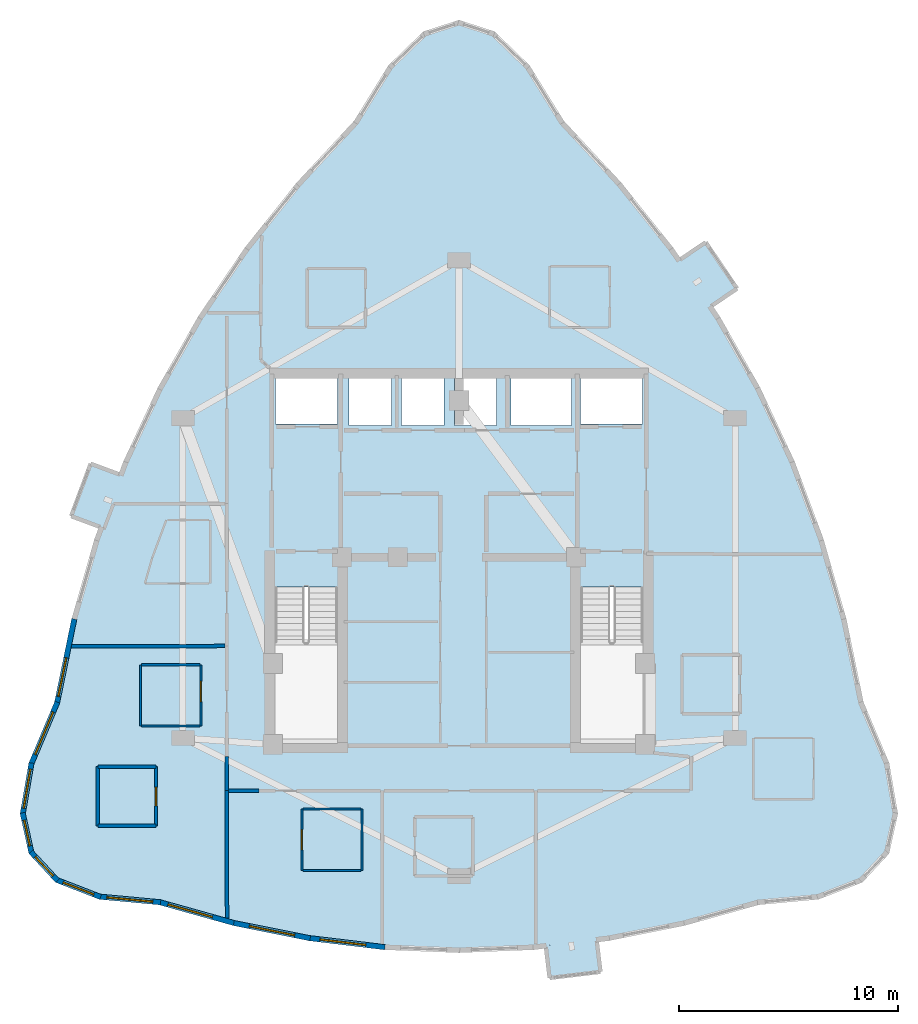
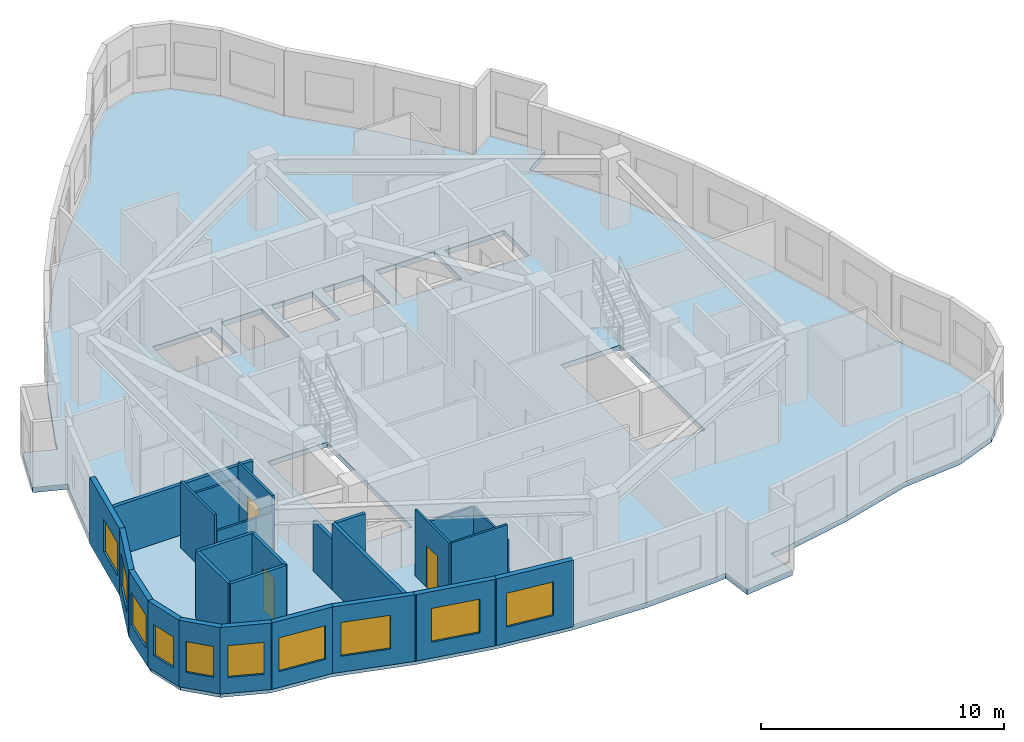
# One storey, part 3 of 9: 26 walls, 10 windows, 3 doors, 1 slab, 13 openings.
"""IFC4 building model written with IfcOpenShell, lengths in metres."""

from ifc_helpers import new_model, si_unit, direction, frame, frame_2d, origin, place, context, subcontext, project, spatial, polyline, rectangle, outline, extrude, material, layer, layer_set, type_object, element, fill, save


model = new_model("IFC4")

# Units and contexts
model_context = context("Model", 3, precision=1e-05, world=origin(), true_north=direction((0.0, 1.0)))
body_context = subcontext(model_context, "Body", "Model", "MODEL_VIEW")
ifc_project = project(units=[si_unit("LENGTHUNIT", "METRE"), si_unit("AREAUNIT", "SQUARE_METRE"), si_unit("VOLUMEUNIT", "CUBIC_METRE"), si_unit("PLANEANGLEUNIT", "RADIAN"), si_unit("MASSUNIT", "GRAM", prefix="KILO")], contexts=[model_context])

# Site, building, storey
site_placement = place(None, origin())
site = spatial("IfcSite", under=ifc_project, at=site_placement, CompositionType="ELEMENT")
building_placement = place(site_placement, origin())
building = spatial("IfcBuilding", under=site, at=building_placement, Name="Miruveldt Soraemaru", CompositionType="ELEMENT")
storey_placement = place(building_placement, frame((0.0, 0.0, 244.800048828125)))
storey = spatial("IfcBuildingStorey", under=building, at=storey_placement, Name="L67", CompositionType="ELEMENT", Elevation=244.800048828125)

# Slab
ifc_material_1 = material(Name="Concrete C40/50 (40 MPa)", Category="concrete")
ifc_layer_1 = layer(ifc_material_1, 0.2548828125, Name="Concrete C40/50 (40 MPa)", Category="concrete")
ifc_layer_set_1 = layer_set([ifc_layer_1], Name="Concrete C40/50 (40 MPa)")
slab_type = type_object("IfcSlabType", Name="SLAB-RES3-255", PredefinedType="FLOOR", material=ifc_layer_set_1)
slab_placement = place(storey_placement, frame((0.0, 0.0, -0.255126953125)))
element("IfcSlab", 1, at=slab_placement, inside=storey, type_object=slab_type, Name="L67 Structural Floor Slab", PredefinedType="FLOOR", context=body_context, shape_type="SweptSolid", body=[
    extrude(outline(polyline([(48.13525390625, 24.852294921875), (47.958984375, 26.32177734375), (49.119140625, 26.461181640625), (47.412841796875, 26.25634765625), (44.0, 26.119873046875), (40.587158203125, 26.25634765625), (37.17431640625, 26.665771484375), (33.761474609375, 27.348388671875), (30.3486328125, 28.303955078125), (27.611328125, 28.556884765625), (25.65625, 29.3154296875), (24.483154296875, 30.57958984375), (24.092041015625, 32.349853515625), (24.483154296875, 34.62548828125), (25.65625, 37.406982421875), (26.435791015625, 41.195068359375), (27.47998046875, 44.8466796875), (27.689453125, 45.40869140625), (26.302490234375, 45.92529296875), (27.193115234375, 48.31591796875), (28.579833984375, 47.79931640625), (28.134765625, 46.60400390625), (28.789306640625, 48.361572265625), (30.36328125, 51.739990234375), (32.2021484375, 54.982177734375), (34.305908203125, 58.087646484375), (36.67431640625, 61.056640625), (39.3076171875, 63.88916015625), (40.87158203125, 66.417724609375), (42.435791015625, 67.934814453125), (44.0, 68.4404296875), (45.564208984375, 67.934814453125), (47.12841796875, 66.417724609375), (48.6923828125, 63.88916015625), (51.32568359375, 61.056640625), (53.694091796875, 58.087646484375), (54.74609375, 56.534912109375), (54.03076171875, 57.5908203125), (55.256103515625, 58.4208984375), (56.686767578125, 56.308837890625), (55.46142578125, 55.478759765625), (55.7978515625, 54.982177734375), (57.63671875, 51.739990234375), (59.210693359375, 48.361572265625), (60.52001953125, 44.8466796875), (61.564208984375, 41.195068359375), (62.34375, 37.406982421875), (63.516845703125, 34.62548828125), (63.907958984375, 32.349853515625), (63.516845703125, 30.57958984375), (62.34375, 29.3154296875), (60.388671875, 28.556884765625), (57.6513671875, 28.303955078125), (54.238525390625, 27.348388671875), (50.82568359375, 26.665771484375), (50.279296875, 26.600341796875), (50.455810546875, 25.130859375), (48.13525390625, 24.852294921875)]), holes=[polyline([(35.614990234375, 35.6650390625), (38.43505859375, 35.6650390625), (38.43505859375, 42.68505859375), (35.614990234375, 42.68505859375), (35.614990234375, 35.6650390625)]), polyline([(49.56494140625, 35.6650390625), (52.385009765625, 35.6650390625), (52.385009765625, 42.68505859375), (49.56494140625, 42.68505859375), (49.56494140625, 35.6650390625)]), polyline([(38.445068359375, 50.135009765625), (38.445068359375, 52.205078125), (35.635009765625, 52.205078125), (35.635009765625, 50.135009765625), (38.445068359375, 50.135009765625)]), polyline([(52.364990234375, 50.135009765625), (52.364990234375, 52.205078125), (49.554931640625, 52.205078125), (49.554931640625, 50.135009765625), (52.364990234375, 50.135009765625)]), polyline([(40.9150390625, 50.06494140625), (40.9150390625, 52.3349609375), (38.985107421875, 52.3349609375), (38.985107421875, 50.06494140625), (40.9150390625, 50.06494140625)]), polyline([(43.31494140625, 50.06494140625), (43.31494140625, 52.3349609375), (41.385009765625, 52.3349609375), (41.385009765625, 50.06494140625), (43.31494140625, 50.06494140625)]), polyline([(45.715087890625, 50.06494140625), (45.715087890625, 52.3349609375), (43.784912109375, 52.3349609375), (43.784912109375, 50.06494140625), (45.715087890625, 50.06494140625)]), polyline([(49.135009765625, 50.06494140625), (49.135009765625, 52.3349609375), (46.364990234375, 52.3349609375), (46.364990234375, 50.06494140625), (49.135009765625, 50.06494140625)])]), origin(), (0.0, 0.0, 1.0), 0.255126953125),
])

# Wall, opening, window
ifc_material_2 = material(Name="Precast concrete C45/55 (45 MPa)", Category="concrete")
ifc_layer_2 = layer(ifc_material_2, 0.239990234375, Name="Precast concrete C45/55 (45 MPa)", Category="concrete")
ifc_layer_set_2 = layer_set([ifc_layer_2], Name="Precast concrete C45/55 (45 MPa)")
wall_type_1 = type_object("IfcWallType", Name="WALL-EXT-PC240", PredefinedType="SOLIDWALL", material=ifc_layer_set_2)
wall_1_placement = place(storey_placement, frame((26.44287109375, 41.229248046875, 0.0), z_axis=(0.0, 0.0, 1.0), x_axis=(-0.201574193265, -0.979473248542, 0.0)))
wall_1 = element("IfcWall", 2, at=wall_1_placement, inside=storey, type_object=wall_type_1, Name="L67 Precast Concrete Facade Wall 14", PredefinedType="SOLIDWALL", context=body_context, shape_type="SweptSolid", body=[
    extrude(rectangle(XDim=3.9375, YDim=0.239990234375, at=frame_2d((1.96875, 0.0))), origin(), (0.0, 0.0, 1.0), 3.344970703125),
])
opening_1_placement = place(wall_1_placement, frame((1.80810546875, 0.0, 0.800048828125)))
opening_1 = element("IfcOpeningElement", 3, at=opening_1_placement, cuts=wall_1, Name="Opening WN-2", PredefinedType="OPENING", context=body_context, shape_type="SweptSolid", body=[
    extrude(rectangle(XDim=1.800048828125, YDim=1.64990234375, at=frame_2d((0.89990234375, 0.824951171875))), frame((0.0, 0.1298828125, 0.0), z_axis=(0.0, -1.0, 0.0), x_axis=(1.0, 0.0, 0.0)), (0.0, 0.0, 1.0), 0.260009765625),
])
ifc_material_3 = material(Name="Triple low-e insulated glazing", Category="glass")
window_type_1 = type_object("IfcWindowType", Name="WIN-PUNCH-1800x1650", PartitioningType="SINGLE_PANEL", PredefinedType="WINDOW", material=ifc_material_3)
window_1_placement = place(opening_1_placement, origin())
window_1 = element("IfcWindow", 4, at=window_1_placement, inside=storey, type_object=window_type_1, Name="L67 Punched Triple-Glazed Window 14.1", OverallHeight=1.64990234375, OverallWidth=1.800048828125, PartitioningType="SINGLE_PANEL", PredefinedType="WINDOW", context=body_context, shape_type="SweptSolid", body=[
    extrude(rectangle(XDim=1.800048828125, YDim=1.64990234375, at=frame_2d((0.89990234375, 0.824951171875))), frame((0.0, 0.030029296875, 0.0), z_axis=(0.0, -1.0, 0.0), x_axis=(1.0, 0.0, 0.0)), (0.0, 0.0, 1.0), 0.06005859375),
])
fill(opening_1, window_1)

wall_2_placement = place(storey_placement, frame((25.669921875, 37.439208984375, 0.0), z_axis=(0.0, 0.0, 1.0), x_axis=(-0.388647035021, -0.921386716949, 0.0)))
wall_2 = element("IfcWall", 5, at=wall_2_placement, inside=storey, type_object=wall_type_1, Name="L67 Precast Concrete Facade Wall 15", PredefinedType="SOLIDWALL", context=body_context, shape_type="SweptSolid", body=[
    extrude(rectangle(XDim=3.0888671875, YDim=0.239990234375, at=frame_2d((1.54443359375, 0.0))), origin(), (0.0, 0.0, 1.0), 3.344970703125),
])
opening_2_placement = place(wall_2_placement, frame((0.493896484375, 0.0, 0.800048828125)))
opening_2 = element("IfcOpeningElement", 6, at=opening_2_placement, cuts=wall_2, Name="Opening WN-1", PredefinedType="OPENING", context=body_context, shape_type="SweptSolid", body=[
    extrude(rectangle(XDim=2.10009765625, YDim=1.699951171875, at=frame_2d((1.050048828125, 0.85009765625))), frame((0.0, 0.1298828125, 0.0), z_axis=(0.0, -1.0, 0.0), x_axis=(1.0, 0.0, 0.0)), (0.0, 0.0, 1.0), 0.260009765625),
])
window_type_2 = type_object("IfcWindowType", Name="WIN-PUNCH-2100x1700", PartitioningType="SINGLE_PANEL", PredefinedType="WINDOW", material=ifc_material_3)
window_2_placement = place(opening_2_placement, origin())
window_2 = element("IfcWindow", 7, at=window_2_placement, inside=storey, type_object=window_type_2, Name="L67 Punched Triple-Glazed Window 15.1", OverallHeight=1.699951171875, OverallWidth=2.10009765625, PartitioningType="SINGLE_PANEL", PredefinedType="WINDOW", context=body_context, shape_type="SweptSolid", body=[
    extrude(rectangle(XDim=2.10009765625, YDim=1.699951171875, at=frame_2d((1.050048828125, 0.85009765625))), frame((0.0, 0.030029296875, 0.0), z_axis=(0.0, -1.0, 0.0), x_axis=(1.0, 0.0, 0.0)), (0.0, 0.0, 1.0), 0.06005859375),
])
fill(opening_2, window_2)

wall_3_placement = place(storey_placement, frame((24.489013671875, 34.659912109375, 0.0), z_axis=(0.0, 0.0, 1.0), x_axis=(-0.16932268842, -0.985560666416, 0.0)))
wall_3 = element("IfcWall", 8, at=wall_3_placement, inside=storey, type_object=wall_type_1, Name="L67 Precast Concrete Facade Wall 16", PredefinedType="SOLIDWALL", context=body_context, shape_type="SweptSolid", body=[
    extrude(rectangle(XDim=2.379150390625, YDim=0.239990234375, at=frame_2d((1.189453125, 0.0))), origin(), (0.0, 0.0, 1.0), 3.344970703125),
])
opening_3_placement = place(wall_3_placement, frame((0.2890625, 0.0, 0.800048828125)))
opening_3 = element("IfcOpeningElement", 9, at=opening_3_placement, cuts=wall_3, Name="Opening WN-2", PredefinedType="OPENING", context=body_context, shape_type="SweptSolid", body=[
    extrude(rectangle(XDim=1.800048828125, YDim=1.64990234375, at=frame_2d((0.89990234375, 0.824951171875))), frame((0.0, 0.1298828125, 0.0), z_axis=(0.0, -1.0, 0.0), x_axis=(1.0, 0.0, 0.0)), (0.0, 0.0, 1.0), 0.260009765625),
])
window_3_placement = place(opening_3_placement, origin())
window_3 = element("IfcWindow", 10, at=window_3_placement, inside=storey, type_object=window_type_1, Name="L67 Punched Triple-Glazed Window 16.1", OverallHeight=1.64990234375, OverallWidth=1.800048828125, PartitioningType="SINGLE_PANEL", PredefinedType="WINDOW", context=body_context, shape_type="SweptSolid", body=[
    extrude(rectangle(XDim=1.800048828125, YDim=1.64990234375, at=frame_2d((0.89990234375, 0.824951171875))), frame((0.0, 0.030029296875, 0.0), z_axis=(0.0, -1.0, 0.0), x_axis=(1.0, 0.0, 0.0)), (0.0, 0.0, 1.0), 0.06005859375),
])
fill(opening_3, window_3)

wall_4_placement = place(storey_placement, frame((24.084716796875, 32.384033203125, 0.0), z_axis=(0.0, 0.0, 1.0), x_axis=(0.215502390858, -0.976503312608, 0.0)))
wall_4 = element("IfcWall", 11, at=wall_4_placement, inside=storey, type_object=wall_type_1, Name="L67 Precast Concrete Facade Wall 17", PredefinedType="SOLIDWALL", context=body_context, shape_type="SweptSolid", body=[
    extrude(rectangle(XDim=1.8828125, YDim=0.239990234375, at=frame_2d((0.94140625, 0.0))), origin(), (0.0, 0.0, 1.0), 3.344970703125),
])
opening_4_placement = place(wall_4_placement, frame((0.342041015625, 0.0, 0.780029296875)))
opening_4 = element("IfcOpeningElement", 12, at=opening_4_placement, cuts=wall_4, Name="Opening WN-4", PredefinedType="OPENING", context=body_context, shape_type="SweptSolid", body=[
    extrude(rectangle(XDim=1.199951171875, YDim=1.550048828125, at=frame_2d((0.60009765625, 0.77490234375))), frame((0.0, 0.1298828125, 0.0), z_axis=(0.0, -1.0, 0.0), x_axis=(1.0, 0.0, 0.0)), (0.0, 0.0, 1.0), 0.260009765625),
])
window_type_3 = type_object("IfcWindowType", Name="WIN-PUNCH-1200x1550", PartitioningType="SINGLE_PANEL", PredefinedType="WINDOW", material=ifc_material_3)
window_4_placement = place(opening_4_placement, origin())
window_4 = element("IfcWindow", 13, at=window_4_placement, inside=storey, type_object=window_type_3, Name="L67 Punched Triple-Glazed Window 17.1", OverallHeight=1.550048828125, OverallWidth=1.199951171875, PartitioningType="SINGLE_PANEL", PredefinedType="WINDOW", context=body_context, shape_type="SweptSolid", body=[
    extrude(rectangle(XDim=1.199951171875, YDim=1.550048828125, at=frame_2d((0.60009765625, 0.77490234375))), frame((0.0, 0.030029296875, 0.0), z_axis=(0.0, -1.0, 0.0), x_axis=(1.0, 0.0, 0.0)), (0.0, 0.0, 1.0), 0.06005859375),
])
fill(opening_4, window_4)

wall_5_placement = place(storey_placement, frame((24.459228515625, 30.60546875, 0.0), z_axis=(0.0, 0.0, 1.0), x_axis=(0.680153639161, -0.733069592287, 0.0)))
wall_5 = element("IfcWall", 14, at=wall_5_placement, inside=storey, type_object=wall_type_1, Name="L67 Precast Concrete Facade Wall 18", PredefinedType="SOLIDWALL", context=body_context, shape_type="SweptSolid", body=[
    extrude(rectangle(XDim=1.794677734375, YDim=0.239990234375, at=frame_2d((0.8974609375, 0.0))), origin(), (0.0, 0.0, 1.0), 3.344970703125),
])
opening_5_placement = place(wall_5_placement, frame((0.297119140625, 0.0, 0.780029296875)))
opening_5 = element("IfcOpeningElement", 15, at=opening_5_placement, cuts=wall_5, Name="Opening WN-4", PredefinedType="OPENING", context=body_context, shape_type="SweptSolid", body=[
    extrude(rectangle(XDim=1.199951171875, YDim=1.550048828125, at=frame_2d((0.60009765625, 0.77490234375))), frame((0.0, 0.1298828125, 0.0), z_axis=(0.0, -1.0, 0.0), x_axis=(1.0, 0.0, 0.0)), (0.0, 0.0, 1.0), 0.260009765625),
])
window_5_placement = place(opening_5_placement, origin())
window_5 = element("IfcWindow", 16, at=window_5_placement, inside=storey, type_object=window_type_3, Name="L67 Punched Triple-Glazed Window 18.1", OverallHeight=1.550048828125, OverallWidth=1.199951171875, PartitioningType="SINGLE_PANEL", PredefinedType="WINDOW", context=body_context, shape_type="SweptSolid", body=[
    extrude(rectangle(XDim=1.199951171875, YDim=1.550048828125, at=frame_2d((0.60009765625, 0.77490234375))), frame((0.0, 0.030029296875, 0.0), z_axis=(0.0, -1.0, 0.0), x_axis=(1.0, 0.0, 0.0)), (0.0, 0.0, 1.0), 0.06005859375),
])
fill(opening_5, window_5)

wall_6_placement = place(storey_placement, frame((25.62353515625, 29.328125, 0.0), z_axis=(0.0, 0.0, 1.0), x_axis=(0.932287671793, -0.361717703495, 0.0)))
wall_6 = element("IfcWall", 17, at=wall_6_placement, inside=storey, type_object=wall_type_1, Name="L67 Precast Concrete Facade Wall 19", PredefinedType="SOLIDWALL", context=body_context, shape_type="SweptSolid", body=[
    extrude(rectangle(XDim=2.167236328125, YDim=0.239990234375, at=frame_2d((1.08349609375, 0.0))), origin(), (0.0, 0.0, 1.0), 3.344970703125),
])
opening_6_placement = place(wall_6_placement, frame((0.333984375, 0.0, 0.800048828125)))
opening_6 = element("IfcOpeningElement", 18, at=opening_6_placement, cuts=wall_6, Name="Opening WN-3", PredefinedType="OPENING", context=body_context, shape_type="SweptSolid", body=[
    extrude(rectangle(XDim=1.5, YDim=1.60009765625, at=frame_2d((0.75, 0.800048828125))), frame((0.0, 0.1298828125, 0.0), z_axis=(0.0, -1.0, 0.0), x_axis=(1.0, 0.0, 0.0)), (0.0, 0.0, 1.0), 0.260009765625),
])
window_type_4 = type_object("IfcWindowType", Name="WIN-PUNCH-1500x1600", PartitioningType="SINGLE_PANEL", PredefinedType="WINDOW", material=ifc_material_3)
window_6_placement = place(opening_6_placement, origin())
window_6 = element("IfcWindow", 19, at=window_6_placement, inside=storey, type_object=window_type_4, Name="L67 Punched Triple-Glazed Window 19.1", OverallHeight=1.60009765625, OverallWidth=1.5, PartitioningType="SINGLE_PANEL", PredefinedType="WINDOW", context=body_context, shape_type="SweptSolid", body=[
    extrude(rectangle(XDim=1.5, YDim=1.60009765625, at=frame_2d((0.75, 0.800048828125))), frame((0.0, 0.030029296875, 0.0), z_axis=(0.0, -1.0, 0.0), x_axis=(1.0, 0.0, 0.0)), (0.0, 0.0, 1.0), 0.06005859375),
])
fill(opening_6, window_6)

wall_7_placement = place(storey_placement, frame((27.576416015625, 28.56005859375, 0.0), z_axis=(0.0, 0.0, 1.0), x_axis=(0.995761555679, -0.09197241017, 0.0)))
wall_7 = element("IfcWall", 20, at=wall_7_placement, inside=storey, type_object=wall_type_1, Name="L67 Precast Concrete Facade Wall 20", PredefinedType="SOLIDWALL", context=body_context, shape_type="SweptSolid", body=[
    extrude(rectangle(XDim=2.819091796875, YDim=0.239990234375, at=frame_2d((1.40966796875, 0.0))), origin(), (0.0, 0.0, 1.0), 3.344970703125),
])
opening_7_placement = place(wall_7_placement, frame((0.35888671875, 0.0, 0.800048828125)))
opening_7 = element("IfcOpeningElement", 21, at=opening_7_placement, cuts=wall_7, Name="Opening WN-1", PredefinedType="OPENING", context=body_context, shape_type="SweptSolid", body=[
    extrude(rectangle(XDim=2.10009765625, YDim=1.699951171875, at=frame_2d((1.050048828125, 0.85009765625))), frame((0.0, 0.1298828125, 0.0), z_axis=(0.0, -1.0, 0.0), x_axis=(1.0, 0.0, 0.0)), (0.0, 0.0, 1.0), 0.260009765625),
])
window_7_placement = place(opening_7_placement, origin())
window_7 = element("IfcWindow", 22, at=window_7_placement, inside=storey, type_object=window_type_2, Name="L67 Punched Triple-Glazed Window 20.1", OverallHeight=1.699951171875, OverallWidth=2.10009765625, PartitioningType="SINGLE_PANEL", PredefinedType="WINDOW", context=body_context, shape_type="SweptSolid", body=[
    extrude(rectangle(XDim=2.10009765625, YDim=1.699951171875, at=frame_2d((1.050048828125, 0.85009765625))), frame((0.0, 0.030029296875, 0.0), z_axis=(0.0, -1.0, 0.0), x_axis=(1.0, 0.0, 0.0)), (0.0, 0.0, 1.0), 0.06005859375),
])
fill(opening_7, window_7)

wall_8_placement = place(storey_placement, frame((30.31494140625, 28.3134765625, 0.0), z_axis=(0.0, 0.0, 1.0), x_axis=(0.9629710353, -0.269604868599, 0.0)))
wall_8 = element("IfcWall", 23, at=wall_8_placement, inside=storey, type_object=wall_type_1, Name="L67 Precast Concrete Facade Wall 21", PredefinedType="SOLIDWALL", context=body_context, shape_type="SweptSolid", body=[
    extrude(rectangle(XDim=3.614013671875, YDim=0.239990234375, at=frame_2d((1.80712890625, 0.0))), origin(), (0.0, 0.0, 1.0), 3.344970703125),
])
opening_8_placement = place(wall_8_placement, frame((0.4208984375, 0.0, 0.800048828125)))
opening_8 = element("IfcOpeningElement", 24, at=opening_8_placement, cuts=wall_8, Name="Opening WN-1", PredefinedType="OPENING", context=body_context, shape_type="SweptSolid", body=[
    extrude(rectangle(XDim=2.10009765625, YDim=1.699951171875, at=frame_2d((1.050048828125, 0.85009765625))), frame((0.0, 0.1298828125, 0.0), z_axis=(0.0, -1.0, 0.0), x_axis=(1.0, 0.0, 0.0)), (0.0, 0.0, 1.0), 0.260009765625),
])
window_8_placement = place(opening_8_placement, origin())
window_8 = element("IfcWindow", 25, at=window_8_placement, inside=storey, type_object=window_type_2, Name="L67 Punched Triple-Glazed Window 21.1", OverallHeight=1.699951171875, OverallWidth=2.10009765625, PartitioningType="SINGLE_PANEL", PredefinedType="WINDOW", context=body_context, shape_type="SweptSolid", body=[
    extrude(rectangle(XDim=2.10009765625, YDim=1.699951171875, at=frame_2d((1.050048828125, 0.85009765625))), frame((0.0, 0.030029296875, 0.0), z_axis=(0.0, -1.0, 0.0), x_axis=(1.0, 0.0, 0.0)), (0.0, 0.0, 1.0), 0.06005859375),
])
fill(opening_8, window_8)

wall_9_placement = place(storey_placement, frame((33.727294921875, 27.355224609375, 0.0), z_axis=(0.0, 0.0, 1.0), x_axis=(0.980580675691, -0.196116135138, 0.0)))
wall_9 = element("IfcWall", 26, at=wall_9_placement, inside=storey, type_object=wall_type_1, Name="L67 Precast Concrete Facade Wall 22", PredefinedType="SOLIDWALL", context=body_context, shape_type="SweptSolid", body=[
    extrude(rectangle(XDim=3.55029296875, YDim=0.239990234375, at=frame_2d((1.775146484375, 0.0))), origin(), (0.0, 0.0, 1.0), 3.344970703125),
])
opening_9_placement = place(wall_9_placement, frame((0.72509765625, 0.0, 0.800048828125)))
opening_9 = element("IfcOpeningElement", 27, at=opening_9_placement, cuts=wall_9, Name="Opening WN-1", PredefinedType="OPENING", context=body_context, shape_type="SweptSolid", body=[
    extrude(rectangle(XDim=2.10009765625, YDim=1.699951171875, at=frame_2d((1.050048828125, 0.85009765625))), frame((0.0, 0.1298828125, 0.0), z_axis=(0.0, -1.0, 0.0), x_axis=(1.0, 0.0, 0.0)), (0.0, 0.0, 1.0), 0.260009765625),
])
window_9_placement = place(opening_9_placement, origin())
window_9 = element("IfcWindow", 28, at=window_9_placement, inside=storey, type_object=window_type_2, Name="L67 Punched Triple-Glazed Window 22.1", OverallHeight=1.699951171875, OverallWidth=2.10009765625, PartitioningType="SINGLE_PANEL", PredefinedType="WINDOW", context=body_context, shape_type="SweptSolid", body=[
    extrude(rectangle(XDim=2.10009765625, YDim=1.699951171875, at=frame_2d((1.050048828125, 0.85009765625))), frame((0.0, 0.030029296875, 0.0), z_axis=(0.0, -1.0, 0.0), x_axis=(1.0, 0.0, 0.0)), (0.0, 0.0, 1.0), 0.06005859375),
])
fill(opening_9, window_9)

wall_10_placement = place(storey_placement, frame((37.1396484375, 26.669921875, 0.0), z_axis=(0.0, 0.0, 1.0), x_axis=(0.992882436738, -0.119098559258, 0.0)))
wall_10 = element("IfcWall", 29, at=wall_10_placement, inside=storey, type_object=wall_type_1, Name="L67 Precast Concrete Facade Wall 23", PredefinedType="SOLIDWALL", context=body_context, shape_type="SweptSolid", body=[
    extrude(rectangle(XDim=3.50732421875, YDim=0.239990234375, at=frame_2d((1.753662109375, 0.0))), origin(), (0.0, 0.0, 1.0), 3.344970703125),
])
opening_10_placement = place(wall_10_placement, frame((0.51806640625, 0.0, 0.800048828125)))
opening_10 = element("IfcOpeningElement", 30, at=opening_10_placement, cuts=wall_10, Name="Opening WN-1", PredefinedType="OPENING", context=body_context, shape_type="SweptSolid", body=[
    extrude(rectangle(XDim=2.10009765625, YDim=1.699951171875, at=frame_2d((1.050048828125, 0.85009765625))), frame((0.0, 0.1298828125, 0.0), z_axis=(0.0, -1.0, 0.0), x_axis=(1.0, 0.0, 0.0)), (0.0, 0.0, 1.0), 0.260009765625),
])
window_10_placement = place(opening_10_placement, origin())
window_10 = element("IfcWindow", 31, at=window_10_placement, inside=storey, type_object=window_type_2, Name="L67 Punched Triple-Glazed Window 23.1", OverallHeight=1.699951171875, OverallWidth=2.10009765625, PartitioningType="SINGLE_PANEL", PredefinedType="WINDOW", context=body_context, shape_type="SweptSolid", body=[
    extrude(rectangle(XDim=2.10009765625, YDim=1.699951171875, at=frame_2d((1.050048828125, 0.85009765625))), frame((0.0, 0.030029296875, 0.0), z_axis=(0.0, -1.0, 0.0), x_axis=(1.0, 0.0, 0.0)), (0.0, 0.0, 1.0), 0.06005859375),
])
fill(opening_10, window_10)

# Wall, opening, door
ifc_material_4 = material(Name="Gypsum plasterboard lining", Category="gypsum")
ifc_layer_3 = layer(ifc_material_4, 0.10009765625, Name="Gypsum plasterboard lining", Category="gypsum")
ifc_layer_set_3 = layer_set([ifc_layer_3], Name="Gypsum plasterboard lining")
wall_type_2 = type_object("IfcWallType", Name="WALL-INT-P100", PredefinedType="PARTITIONING", material=ifc_layer_set_3)
wall_11_placement = place(storey_placement, frame((32.221923828125, 36.342041015625, 0.0), z_axis=(0.0, 0.0, 1.0), x_axis=(0.0, 1.0, 0.0)))
wall_11 = element("IfcWall", 32, at=wall_11_placement, inside=storey, type_object=wall_type_2, Name="L67 Partition Wall 34", PredefinedType="PARTITIONING", context=body_context, shape_type="SweptSolid", body=[
    extrude(rectangle(XDim=2.800048828125, YDim=0.10009765625, at=frame_2d((1.39990234375, 0.0))), origin(), (0.0, 0.0, 1.0), 3.344970703125),
])
opening_11_placement = place(wall_11_placement, frame((1.1201171875, 0.0, 0.0)))
opening_11 = element("IfcOpeningElement", 33, at=opening_11_placement, cuts=wall_11, Name="Opening D3A", PredefinedType="OPENING", context=body_context, shape_type="SweptSolid", body=[
    extrude(rectangle(XDim=0.919921875, YDim=2.10009765625, at=frame_2d((0.4599609375, 1.050048828125))), frame((0.0, 0.06005859375, 0.0), z_axis=(0.0, -1.0, 0.0), x_axis=(1.0, 0.0, 0.0)), (0.0, 0.0, 1.0), 0.1201171875),
])
ifc_material_5 = material(Name="Anodised aluminium EN AW-6063 T6", Category="aluminium")
door_type_1 = type_object("IfcDoorType", Name="DOOR-INT-920", OperationType="NOTDEFINED", PredefinedType="DOOR", material=ifc_material_5)
door_1_placement = place(opening_11_placement, origin())
door_1 = element("IfcDoor", 34, at=door_1_placement, inside=storey, type_object=door_type_1, Name="L67 Unit 6704 KIT Door", OperationType="SINGLE_SWING_RIGHT", OverallHeight=2.10009765625, OverallWidth=0.919921875, PredefinedType="DOOR", context=body_context, shape_type="SweptSolid", body=[
    extrude(rectangle(XDim=0.919921875, YDim=2.10009765625, at=frame_2d((0.4599609375, 1.050048828125))), frame((0.0, 0.02490234375, 0.0), z_axis=(0.0, -1.0, 0.0), x_axis=(1.0, 0.0, 0.0)), (0.0, 0.0, 1.0), 0.050048828125),
])
fill(opening_11, door_1)

wall_12_placement = place(storey_placement, frame((36.830078125, 32.555908203125, 0.0), z_axis=(0.0, 0.0, 1.0), x_axis=(0.0, -1.0, 0.0)))
wall_12 = element("IfcWall", 35, at=wall_12_placement, inside=storey, type_object=wall_type_2, Name="L67 Partition Wall 41", PredefinedType="PARTITIONING", context=body_context, shape_type="SweptSolid", body=[
    extrude(rectangle(XDim=2.7998046875, YDim=0.10009765625, at=frame_2d((1.39990234375, 0.0))), origin(), (0.0, 0.0, 1.0), 3.344970703125),
])
opening_12_placement = place(wall_12_placement, frame((0.93994140625, 0.0, 0.0)))
opening_12 = element("IfcOpeningElement", 36, at=opening_12_placement, cuts=wall_12, Name="Opening D3A", PredefinedType="OPENING", context=body_context, shape_type="SweptSolid", body=[
    extrude(rectangle(XDim=0.919921875, YDim=2.10009765625, at=frame_2d((0.4599609375, 1.050048828125))), frame((0.0, 0.06005859375, 0.0), z_axis=(0.0, -1.0, 0.0), x_axis=(1.0, 0.0, 0.0)), (0.0, 0.0, 1.0), 0.1201171875),
])
door_2_placement = place(opening_12_placement, origin())
door_2 = element("IfcDoor", 37, at=door_2_placement, inside=storey, type_object=door_type_1, Name="L67 Unit CL05 KIT Door", OperationType="SINGLE_SWING_RIGHT", OverallHeight=2.10009765625, OverallWidth=0.919921875, PredefinedType="DOOR", context=body_context, shape_type="SweptSolid", body=[
    extrude(rectangle(XDim=0.919921875, YDim=2.10009765625, at=frame_2d((0.4599609375, 1.050048828125))), frame((0.0, 0.02490234375, 0.0), z_axis=(0.0, -1.0, 0.0), x_axis=(1.0, 0.0, 0.0)), (0.0, 0.0, 1.0), 0.050048828125),
])
fill(opening_12, door_2)

# Walls
wall_13_placement = place(storey_placement, frame((29.471923828125, 39.14208984375, 0.0), z_axis=(0.0, 0.0, 1.0), x_axis=(0.0, -1.0, 0.0)))
element("IfcWall", 38, at=wall_13_placement, inside=storey, type_object=wall_type_2, Name="L67 Partition Wall 36", PredefinedType="PARTITIONING", context=body_context, shape_type="SweptSolid", body=[
    extrude(rectangle(XDim=2.800048828125, YDim=0.10009765625, at=frame_2d((1.39990234375, 0.0))), origin(), (0.0, 0.0, 1.0), 3.344970703125),
])
wall_14_placement = place(storey_placement, frame((39.580078125, 29.756103515625, 0.0), z_axis=(0.0, 0.0, 1.0), x_axis=(0.0, 1.0, 0.0)))
element("IfcWall", 39, at=wall_14_placement, inside=storey, type_object=wall_type_2, Name="L67 Partition Wall 39", PredefinedType="PARTITIONING", context=body_context, shape_type="SweptSolid", body=[
    extrude(rectangle(XDim=2.7998046875, YDim=0.10009765625, at=frame_2d((1.39990234375, 0.0))), origin(), (0.0, 0.0, 1.0), 2.532958984375),
])
for number, where, z_axis, x_axis, name in (
    (40, (32.172119140625, 39.14208984375, 0.0), (0.0, 0.0, 1.0), (-1.0, 0.0, 0.0), "L67 Partition Wall 35"),
    (41, (29.52197265625, 36.342041015625, 0.0), (0.0, 0.0, 1.0), (1.0, 0.0, 0.0), "L67 Partition Wall 37"),
    (42, (39.530029296875, 32.555908203125, 0.0), (0.0, 0.0, 1.0), (-1.0, 0.0, 0.0), "L67 Partition Wall 40"),
):
    element("IfcWall", number, at=place(storey_placement, frame(where, z_axis=z_axis, x_axis=x_axis)), inside=storey, type_object=wall_type_2, Name=name, PredefinedType="PARTITIONING", context=body_context, shape_type="SweptSolid", body=[
        extrude(rectangle(XDim=2.650146484375, YDim=0.10009765625, at=frame_2d((1.3251953125, 0.0))), origin(), (0.0, 0.0, 1.0), 2.532958984375),
    ])
wall_15_placement = place(storey_placement, frame((36.8798828125, 29.756103515625, 0.0), z_axis=(0.0, 0.0, 1.0), x_axis=(1.0, 0.0, 0.0)))
element("IfcWall", 43, at=wall_15_placement, inside=storey, type_object=wall_type_2, Name="L67 Partition Wall 42", PredefinedType="PARTITIONING", context=body_context, shape_type="SweptSolid", body=[
    extrude(rectangle(XDim=2.650146484375, YDim=0.10009765625, at=frame_2d((1.3251953125, 0.0))), origin(), (0.0, 0.0, 1.0), 3.344970703125),
])

# Wall, opening, door
ifc_layer_4 = layer(ifc_material_4, 0.14990234375, Name="Gypsum plasterboard lining", Category="gypsum")
ifc_layer_set_4 = layer_set([ifc_layer_4], Name="Gypsum plasterboard lining")
wall_type_3 = type_object("IfcWallType", Name="WALL-INT-PLUMB", PredefinedType="PLUMBINGWALL", material=ifc_layer_set_4)
wall_16_placement = place(storey_placement, frame((30.172119140625, 31.7919921875, 0.0), z_axis=(0.0, 0.0, 1.0), x_axis=(0.0, 1.0, 0.0)))
wall_16 = element("IfcWall", 44, at=wall_16_placement, inside=storey, type_object=wall_type_3, Name="L67 Partition Wall 30", PredefinedType="PLUMBINGWALL", context=body_context, shape_type="SweptSolid", body=[
    extrude(rectangle(XDim=2.699951171875, YDim=0.14990234375, at=frame_2d((1.35009765625, 0.0))), origin(), (0.0, 0.0, 1.0), 3.344970703125),
])
opening_13_placement = place(wall_16_placement, frame((0.909912109375, 0.0, 0.0)))
opening_13 = element("IfcOpeningElement", 45, at=opening_13_placement, cuts=wall_16, Name="Opening FD3", PredefinedType="OPENING", context=body_context, shape_type="SweptSolid", body=[
    extrude(rectangle(XDim=0.85009765625, YDim=2.10009765625, at=frame_2d((0.425048828125, 1.050048828125))), frame((0.0, 0.0849609375, 0.0), z_axis=(0.0, -1.0, 0.0), x_axis=(1.0, 0.0, 0.0)), (0.0, 0.0, 1.0), 0.169921875),
])
door_type_2 = type_object("IfcDoorType", Name="DOOR-FD3-850", OperationType="NOTDEFINED", PredefinedType="DOOR", material=ifc_material_5)
door_3_placement = place(opening_13_placement, origin())
door_3 = element("IfcDoor", 46, at=door_3_placement, inside=storey, type_object=door_type_2, Name="L67 Unit 6704 BTH Door", OperationType="SINGLE_SWING_LEFT", OverallHeight=2.10009765625, OverallWidth=0.85009765625, PredefinedType="DOOR", context=body_context, shape_type="SweptSolid", body=[
    extrude(rectangle(XDim=0.85009765625, YDim=2.10009765625, at=frame_2d((0.425048828125, 1.050048828125))), frame((0.0, 0.02490234375, 0.0), z_axis=(0.0, -1.0, 0.0), x_axis=(1.0, 0.0, 0.0)), (0.0, 0.0, 1.0), 0.050048828125),
])
fill(opening_13, door_3)

# Walls
wall_17_placement = place(storey_placement, frame((27.52197265625, 34.491943359375, 0.0), z_axis=(0.0, 0.0, 1.0), x_axis=(0.0, -1.0, 0.0)))
element("IfcWall", 47, at=wall_17_placement, inside=storey, type_object=wall_type_3, Name="L67 Partition Wall 32", PredefinedType="PLUMBINGWALL", context=body_context, shape_type="SweptSolid", body=[
    extrude(rectangle(XDim=2.699951171875, YDim=0.14990234375, at=frame_2d((1.35009765625, 0.0))), origin(), (0.0, 0.0, 1.0), 3.344970703125),
])
for number, where, z_axis, x_axis, name in (
    (48, (30.172119140625, 34.491943359375, 0.0), (0.0, 0.0, 1.0), (-1.0, 0.0, 0.0), "L67 Partition Wall 31"),
    (49, (27.52197265625, 31.7919921875, 0.0), (0.0, 0.0, 1.0), (1.0, 0.0, 0.0), "L67 Partition Wall 33"),
):
    element("IfcWall", number, at=place(storey_placement, frame(where, z_axis=z_axis, x_axis=x_axis)), inside=storey, type_object=wall_type_3, Name=name, PredefinedType="PLUMBINGWALL", context=body_context, shape_type="SweptSolid", body=[
        extrude(rectangle(XDim=2.650146484375, YDim=0.14990234375, at=frame_2d((1.3251953125, 0.0))), origin(), (0.0, 0.0, 1.0), 3.344970703125),
    ])
ifc_layer_5 = layer(ifc_material_1, 0.159912109375, Name="Concrete C40/50 (40 MPa)", Category="concrete")
ifc_layer_set_5 = layer_set([ifc_layer_5], Name="Concrete C40/50 (40 MPa)")
wall_type_4 = type_object("IfcWallType", Name="WALL-INT-RC160", PredefinedType="SOLIDWALL", material=ifc_layer_set_5)
wall_18_placement = place(storey_placement, frame((26.325927734375, 39.989990234375, 0.0), z_axis=(0.0, 0.0, 1.0), x_axis=(0.999998974956, 0.001431812746, 0.0)))
element("IfcWall", 50, at=wall_18_placement, inside=storey, type_object=wall_type_4, Name="L67 Partition Wall 29", PredefinedType="SOLIDWALL", context=body_context, shape_type="SweptSolid", body=[
    extrude(rectangle(XDim=6.990966796875, YDim=0.159912109375, at=frame_2d((3.49560546875, 0.0))), origin(), (0.0, 0.0, 1.0), 2.532958984375),
])
wall_19_placement = place(storey_placement, frame((33.4150390625, 27.5859375, 0.0), z_axis=(0.0, 0.0, 1.0), x_axis=(-0.002603501716, 0.999996610884, 0.0)))
element("IfcWall", 51, at=wall_19_placement, inside=storey, type_object=wall_type_4, Name="L67 Partition Wall 38", PredefinedType="SOLIDWALL", context=body_context, shape_type="SweptSolid", body=[
    extrude(rectangle(XDim=5.81396484375, YDim=0.159912109375, at=frame_2d((2.906982421875, 0.0))), origin(), (0.0, 0.0, 1.0), 3.344970703125),
])
wall_20_placement = place(storey_placement, frame((33.39990234375, 34.949951171875, 0.0), z_axis=(0.0, 0.0, 1.0), x_axis=(0.0, -1.0, 0.0)))
element("IfcWall", 52, at=wall_20_placement, inside=storey, type_object=wall_type_4, Name="L67 Partition Wall 6", PredefinedType="SOLIDWALL", context=body_context, shape_type="SweptSolid", body=[
    extrude(rectangle(XDim=1.550048828125, YDim=0.159912109375, at=frame_2d((0.77490234375, 0.0))), origin(), (0.0, 0.0, 1.0), 2.532958984375),
])
wall_21_placement = place(storey_placement, frame((33.47998046875, 33.39990234375, 0.0), z_axis=(0.0, 0.0, 1.0), x_axis=(1.0, 0.0, 0.0)))
element("IfcWall", 53, at=wall_21_placement, inside=storey, type_object=wall_type_4, Name="L67 Partition Wall 7", PredefinedType="SOLIDWALL", context=body_context, shape_type="SweptSolid", body=[
    extrude(rectangle(XDim=1.39013671875, YDim=0.159912109375, at=frame_2d((0.695068359375, 0.0))), origin(), (0.0, 0.0, 1.0), 3.344970703125),
])

save(model, "model.ifc")
